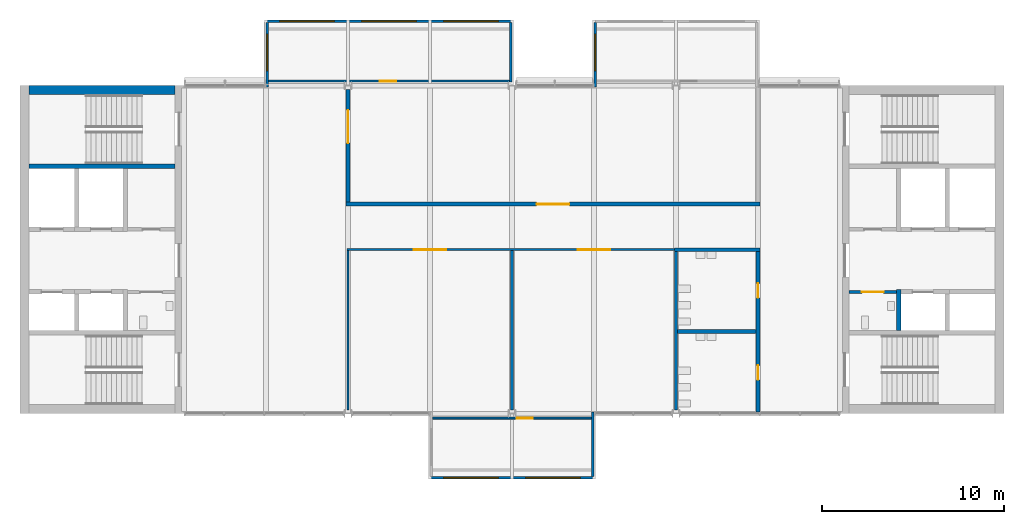
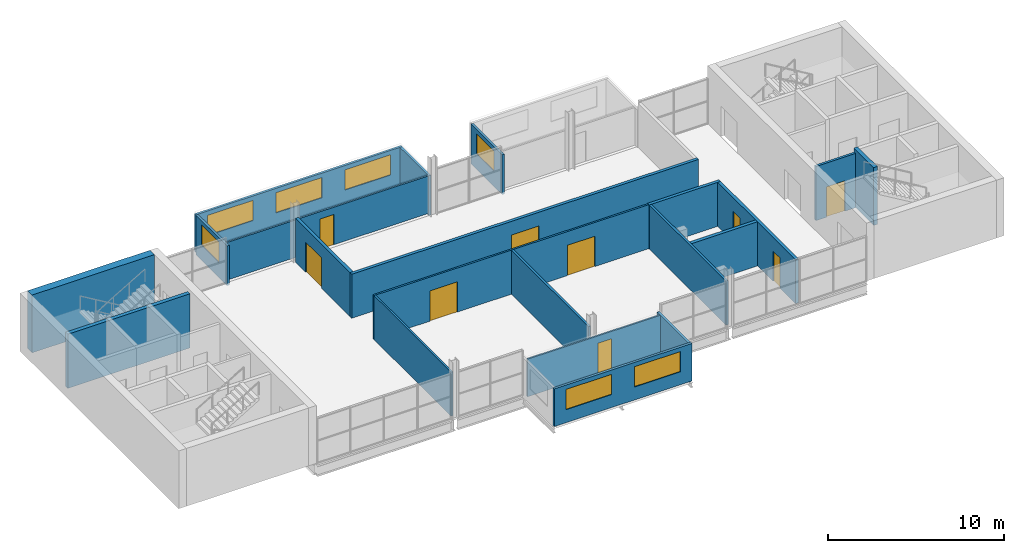
# One storey, part 6 of 10: 21 walls, 9 doors, 7 windows, 16 openings.
"""IFC4 building model written with IfcOpenShell, lengths in metres."""

from ifc_helpers import new_model, si_unit, direction, frame, frame_2d, origin, place, context, subcontext, project, spatial, rectangle, extrude, material, layer, layer_set, type_object, element, fill, save


model = new_model("IFC4")

# Units and contexts
model_context = context("Model", 3, precision=1e-05, world=origin(), true_north=direction((0.0, 1.0)))
body_context = subcontext(model_context, "Body", "Model", "MODEL_VIEW")
ifc_project = project(units=[si_unit("LENGTHUNIT", "METRE"), si_unit("AREAUNIT", "SQUARE_METRE"), si_unit("VOLUMEUNIT", "CUBIC_METRE"), si_unit("PLANEANGLEUNIT", "RADIAN"), si_unit("MASSUNIT", "GRAM", prefix="KILO")], contexts=[model_context])

# Site, building, storey
site_placement = place(None, origin())
site = spatial("IfcSite", under=ifc_project, at=site_placement, CompositionType="ELEMENT")
building_placement = place(site_placement, origin())
building = spatial("IfcBuilding", under=site, at=building_placement, Name="Corbel Yard City Hall", CompositionType="ELEMENT")
storey_placement = place(building_placement, frame((0.0, 0.0, 43.199951171875)))
storey = spatial("IfcBuildingStorey", under=building, at=storey_placement, Name="L10", CompositionType="ELEMENT", Elevation=43.199951171875)

# Walls
ifc_material_1 = material(Name="Concrete N40 (40 MPa)", Category="concrete")
ifc_layer_1 = layer(ifc_material_1, 0.25)
ifc_layer_set_1 = layer_set([ifc_layer_1], Name="Concrete N40 (40 MPa)")
wall_type_1 = type_object("IfcWallType", Name="IW2", PredefinedType="SOLIDWALL", material=ifc_layer_set_1)
wall_1_placement = place(storey_placement, frame((8.5, 112.574951171875, 0.0), z_axis=(0.0, 0.0, 1.0), x_axis=(-1.0, 0.0, 0.0)))
element("IfcWall", 1, at=wall_1_placement, inside=storey, type_object=wall_type_1, Name="Stair enclosure wall", PredefinedType="SOLIDWALL", context=body_context, shape_type="SweptSolid", body=[
    extrude(rectangle(XDim=8.0, YDim=0.25, at=frame_2d((4.0, 0.0))), origin(), (0.0, 0.0, 1.0), 3.75),
])
wall_2_placement = place(storey_placement, frame((48.22509765625, 103.550048828125, 0.0), z_axis=(0.0, 0.0, 1.0), x_axis=(0.0, 1.0, 0.0)))
element("IfcWall", 2, at=wall_2_placement, inside=storey, type_object=wall_type_1, Name="Lift LP25 shaft wall", PredefinedType="SOLIDWALL", context=body_context, shape_type="SweptSolid", body=[
    extrude(rectangle(XDim=2.25, YDim=0.25, at=frame_2d((1.125, 0.0))), origin(), (0.0, 0.0, 1.0), 4.0),
])

# Wall, openings, windows
ifc_material_2 = material(Name="Anodised aluminium", Category="aluminium")
ifc_layer_2 = layer(ifc_material_2, 0.02392578125)
ifc_material_3 = material(Name="Steel Grade G550 (550 MPa yield)", Category="steel")
ifc_layer_3 = layer(ifc_material_3, 0.10009765625)
ifc_material_4 = material(Name="Gypsum plasterboard", Category="gypsum")
ifc_layer_4 = layer(ifc_material_4, 0.02587890625)
ifc_layer_set_2 = layer_set([ifc_layer_2, ifc_layer_3, ifc_layer_4], Name="Steel Grade G550 (550 MPa yield)")
wall_type_2 = type_object("IfcWallType", Name="PD1", PredefinedType="SOLIDWALL", material=ifc_layer_set_2)
wall_3_placement = place(storey_placement, frame((22.5, 95.47509765625, 0.0), z_axis=(0.0, 0.0, 1.0), x_axis=(1.0, 0.0, 0.0)))
wall_3 = element("IfcWall", 3, at=wall_3_placement, inside=storey, type_object=wall_type_2, Name="Pod outer wall L10", PredefinedType="SOLIDWALL", context=body_context, shape_type="SweptSolid", body=[
    extrude(rectangle(XDim=9.0, YDim=0.14990234375, at=frame_2d((4.5, 0.0))), origin(), (0.0, 0.0, 1.0), 2.60009765625),
])
opening_1_placement = place(wall_3_placement, frame((0.75, 0.0, 0.89990234375)))
opening_1 = element("IfcOpeningElement", 4, at=opening_1_placement, cuts=wall_3, Name="Opening WN5", PredefinedType="OPENING", context=body_context, shape_type="SweptSolid", body=[
    extrude(rectangle(XDim=3.0, YDim=1.39990234375, at=frame_2d((1.5, 0.699951171875))), frame((0.0, 0.0849609375, 0.0), z_axis=(0.0, -1.0, 0.0), x_axis=(1.0, 0.0, 0.0)), (0.0, 0.0, 1.0), 0.169921875),
])
opening_2_placement = place(wall_3_placement, frame((5.25, 0.0, 0.89990234375)))
opening_2 = element("IfcOpeningElement", 5, at=opening_2_placement, cuts=wall_3, Name="Opening WN5", PredefinedType="OPENING", context=body_context, shape_type="SweptSolid", body=[
    extrude(rectangle(XDim=3.0, YDim=1.39990234375, at=frame_2d((1.5, 0.699951171875))), frame((0.0, 0.0849609375, 0.0), z_axis=(0.0, -1.0, 0.0), x_axis=(1.0, 0.0, 0.0)), (0.0, 0.0, 1.0), 0.169921875),
])
ifc_material_5 = material(Name="Aluminium frame, double glazed low-e glass", Category="aluminium")
window_type_1 = type_object("IfcWindowType", Name="WN5", PartitioningType="SINGLE_PANEL", PredefinedType="WINDOW", material=ifc_material_5)
window_1_placement = place(opening_1_placement, origin())
window_1 = element("IfcWindow", 6, at=window_1_placement, inside=storey, type_object=window_type_1, Name="Window WN5 L10", OverallHeight=1.39990234375, OverallWidth=3.0, PartitioningType="SINGLE_PANEL", PredefinedType="WINDOW", context=body_context, shape_type="SweptSolid", body=[
    extrude(rectangle(XDim=3.0, YDim=1.39990234375, at=frame_2d((1.5, 0.699951171875))), frame((0.0, 0.030029296875, 0.0), z_axis=(0.0, -1.0, 0.0), x_axis=(1.0, 0.0, 0.0)), (0.0, 0.0, 1.0), 0.06005859375),
])
fill(opening_1, window_1)
window_2_placement = place(opening_2_placement, origin())
window_2 = element("IfcWindow", 7, at=window_2_placement, inside=storey, type_object=window_type_1, Name="Window WN5 L10", OverallHeight=1.39990234375, OverallWidth=3.0, PartitioningType="SINGLE_PANEL", PredefinedType="WINDOW", context=body_context, shape_type="SweptSolid", body=[
    extrude(rectangle(XDim=3.0, YDim=1.39990234375, at=frame_2d((1.5, 0.699951171875))), frame((0.0, 0.030029296875, 0.0), z_axis=(0.0, -1.0, 0.0), x_axis=(1.0, 0.0, 0.0)), (0.0, 0.0, 1.0), 0.06005859375),
])
fill(opening_2, window_2)

wall_4_placement = place(storey_placement, frame((13.5, 120.52490234375, 0.0), z_axis=(0.0, 0.0, 1.0), x_axis=(1.0, 0.0, 0.0)))
wall_4 = element("IfcWall", 8, at=wall_4_placement, inside=storey, type_object=wall_type_2, Name="Pod outer wall L10", PredefinedType="SOLIDWALL", context=body_context, shape_type="SweptSolid", body=[
    extrude(rectangle(XDim=13.5, YDim=0.14990234375, at=frame_2d((6.75, 0.0))), origin(), (0.0, 0.0, 1.0), 2.60009765625),
])
opening_3_placement = place(wall_4_placement, frame((0.75, 0.0, 0.89990234375)))
opening_3 = element("IfcOpeningElement", 9, at=opening_3_placement, cuts=wall_4, Name="Opening WN5", PredefinedType="OPENING", context=body_context, shape_type="SweptSolid", body=[
    extrude(rectangle(XDim=3.0, YDim=1.39990234375, at=frame_2d((1.5, 0.699951171875))), frame((0.0, 0.0849609375, 0.0), z_axis=(0.0, -1.0, 0.0), x_axis=(1.0, 0.0, 0.0)), (0.0, 0.0, 1.0), 0.169921875),
])
opening_4_placement = place(wall_4_placement, frame((5.25, 0.0, 0.89990234375)))
opening_4 = element("IfcOpeningElement", 10, at=opening_4_placement, cuts=wall_4, Name="Opening WN5", PredefinedType="OPENING", context=body_context, shape_type="SweptSolid", body=[
    extrude(rectangle(XDim=3.0, YDim=1.39990234375, at=frame_2d((1.5, 0.699951171875))), frame((0.0, 0.0849609375, 0.0), z_axis=(0.0, -1.0, 0.0), x_axis=(1.0, 0.0, 0.0)), (0.0, 0.0, 1.0), 0.169921875),
])
opening_5_placement = place(wall_4_placement, frame((9.75, 0.0, 0.89990234375)))
opening_5 = element("IfcOpeningElement", 11, at=opening_5_placement, cuts=wall_4, Name="Opening WN5", PredefinedType="OPENING", context=body_context, shape_type="SweptSolid", body=[
    extrude(rectangle(XDim=3.0, YDim=1.39990234375, at=frame_2d((1.5, 0.699951171875))), frame((0.0, 0.0849609375, 0.0), z_axis=(0.0, -1.0, 0.0), x_axis=(1.0, 0.0, 0.0)), (0.0, 0.0, 1.0), 0.169921875),
])
window_3_placement = place(opening_3_placement, origin())
window_3 = element("IfcWindow", 12, at=window_3_placement, inside=storey, type_object=window_type_1, Name="Window WN5 L10", OverallHeight=1.39990234375, OverallWidth=3.0, PartitioningType="SINGLE_PANEL", PredefinedType="WINDOW", context=body_context, shape_type="SweptSolid", body=[
    extrude(rectangle(XDim=3.0, YDim=1.39990234375, at=frame_2d((1.5, 0.699951171875))), frame((0.0, 0.030029296875, 0.0), z_axis=(0.0, -1.0, 0.0), x_axis=(1.0, 0.0, 0.0)), (0.0, 0.0, 1.0), 0.06005859375),
])
fill(opening_3, window_3)
window_4_placement = place(opening_4_placement, origin())
window_4 = element("IfcWindow", 13, at=window_4_placement, inside=storey, type_object=window_type_1, Name="Window WN5 L10", OverallHeight=1.39990234375, OverallWidth=3.0, PartitioningType="SINGLE_PANEL", PredefinedType="WINDOW", context=body_context, shape_type="SweptSolid", body=[
    extrude(rectangle(XDim=3.0, YDim=1.39990234375, at=frame_2d((1.5, 0.699951171875))), frame((0.0, 0.030029296875, 0.0), z_axis=(0.0, -1.0, 0.0), x_axis=(1.0, 0.0, 0.0)), (0.0, 0.0, 1.0), 0.06005859375),
])
fill(opening_4, window_4)
window_5_placement = place(opening_5_placement, origin())
window_5 = element("IfcWindow", 14, at=window_5_placement, inside=storey, type_object=window_type_1, Name="Window WN5 L10", OverallHeight=1.39990234375, OverallWidth=3.0, PartitioningType="SINGLE_PANEL", PredefinedType="WINDOW", context=body_context, shape_type="SweptSolid", body=[
    extrude(rectangle(XDim=3.0, YDim=1.39990234375, at=frame_2d((1.5, 0.699951171875))), frame((0.0, 0.030029296875, 0.0), z_axis=(0.0, -1.0, 0.0), x_axis=(1.0, 0.0, 0.0)), (0.0, 0.0, 1.0), 0.06005859375),
])
fill(opening_5, window_5)

# Wall, opening, door
ifc_layer_5 = layer(ifc_material_4, 0.01806640625)
ifc_layer_6 = layer(ifc_material_3, 0.06396484375)
ifc_layer_7 = layer(ifc_material_4, 0.01806640625)
ifc_layer_set_3 = layer_set([ifc_layer_5, ifc_layer_6, ifc_layer_7], Name="Steel Grade G550 (550 MPa yield)")
wall_type_3 = type_object("IfcWallType", Name="PD2", PredefinedType="PARTITIONING", material=ifc_layer_set_3)
wall_5_placement = place(storey_placement, frame((22.64990234375, 98.75, 0.0), z_axis=(0.0, 0.0, 1.0), x_axis=(1.0, 0.0, 0.0)))
wall_5 = element("IfcWall", 15, at=wall_5_placement, inside=storey, type_object=wall_type_3, Name="Pod inner wall L10", PredefinedType="PARTITIONING", context=body_context, shape_type="SweptSolid", body=[
    extrude(rectangle(XDim=8.7001953125, YDim=0.10009765625, at=frame_2d((4.35009765625, 0.0))), origin(), (0.0, 0.0, 1.0), 2.60009765625),
])
opening_6_placement = place(wall_5_placement, frame((4.60009765625, 0.0, 0.0)))
opening_6 = element("IfcOpeningElement", 16, at=opening_6_placement, cuts=wall_5, Name="Opening T3-001", PredefinedType="OPENING", context=body_context, shape_type="SweptSolid", body=[
    extrude(rectangle(XDim=0.89990234375, YDim=2.10009765625, at=frame_2d((0.449951171875, 1.050048828125))), frame((0.0, 0.06005859375, 0.0), z_axis=(0.0, -1.0, 0.0), x_axis=(1.0, 0.0, 0.0)), (0.0, 0.0, 1.0), 0.1201171875),
])
ifc_material_6 = material(Name="Timber, solid core", Category="wood")
door_type_1 = type_object("IfcDoorType", Name="XD6", OperationType="SINGLE_SWING_LEFT", PredefinedType="DOOR", material=ifc_material_6)
door_1_placement = place(opening_6_placement, frame((0.89990234375, 0.0, 0.0), z_axis=(0.0, 0.0, 1.0), x_axis=(-1.0, 0.0, 0.0)))
door_1 = element("IfcDoor", 17, at=door_1_placement, inside=storey, type_object=door_type_1, Name="Pod door L10", OperationType="SINGLE_SWING_LEFT", OverallHeight=2.10009765625, OverallWidth=0.89990234375, PredefinedType="DOOR", context=body_context, shape_type="SweptSolid", body=[
    extrude(rectangle(XDim=0.89990234375, YDim=2.10009765625, at=frame_2d((0.449951171875, 1.050048828125))), frame((0.0, 0.02490234375, 0.0), z_axis=(0.0, -1.0, 0.0), x_axis=(1.0, 0.0, 0.0)), (0.0, 0.0, 1.0), 0.050048828125),
])
fill(opening_6, door_1)

wall_6_placement = place(storey_placement, frame((13.64990234375, 117.25, 0.0), z_axis=(0.0, 0.0, 1.0), x_axis=(1.0, 0.0, 0.0)))
wall_6 = element("IfcWall", 18, at=wall_6_placement, inside=storey, type_object=wall_type_3, Name="Pod inner wall L10", PredefinedType="PARTITIONING", context=body_context, shape_type="SweptSolid", body=[
    extrude(rectangle(XDim=13.2001953125, YDim=0.10009765625, at=frame_2d((6.60009765625, 0.0))), origin(), (0.0, 0.0, 1.0), 2.60009765625),
])
opening_7_placement = place(wall_6_placement, frame((6.10009765625, 0.0, 0.0)))
opening_7 = element("IfcOpeningElement", 19, at=opening_7_placement, cuts=wall_6, Name="Opening T3-002", PredefinedType="OPENING", context=body_context, shape_type="SweptSolid", body=[
    extrude(rectangle(XDim=0.89990234375, YDim=2.10009765625, at=frame_2d((0.449951171875, 1.050048828125))), frame((0.0, 0.06005859375, 0.0), z_axis=(0.0, -1.0, 0.0), x_axis=(1.0, 0.0, 0.0)), (0.0, 0.0, 1.0), 0.1201171875),
])
door_2_placement = place(opening_7_placement, origin())
door_2 = element("IfcDoor", 20, at=door_2_placement, inside=storey, type_object=door_type_1, Name="Pod door L10", OperationType="SINGLE_SWING_LEFT", OverallHeight=2.10009765625, OverallWidth=0.89990234375, PredefinedType="DOOR", context=body_context, shape_type="SweptSolid", body=[
    extrude(rectangle(XDim=0.89990234375, YDim=2.10009765625, at=frame_2d((0.449951171875, 1.050048828125))), frame((0.0, 0.02490234375, 0.0), z_axis=(0.0, -1.0, 0.0), x_axis=(1.0, 0.0, 0.0)), (0.0, 0.0, 1.0), 0.050048828125),
])
fill(opening_7, door_2)

# Wall
ifc_layer_8 = layer(ifc_material_2, 0.02392578125)
ifc_layer_9 = layer(ifc_material_3, 0.10009765625)
ifc_layer_10 = layer(ifc_material_4, 0.02587890625)
ifc_layer_set_4 = layer_set([ifc_layer_8, ifc_layer_9, ifc_layer_10], Name="Steel Grade G550 (550 MPa yield)")
wall_type_4 = type_object("IfcWallType", Name="PD3", PredefinedType="SOLIDWALL", material=ifc_layer_set_4)
wall_7_placement = place(storey_placement, frame((31.425048828125, 95.550048828125, -0.14990234375), z_axis=(0.0, 0.0, 1.0), x_axis=(0.0, 1.0, 0.0)))
element("IfcWall", 21, at=wall_7_placement, inside=storey, type_object=wall_type_4, Name="Pod side wall L10", PredefinedType="SOLIDWALL", context=body_context, shape_type="SweptSolid", body=[
    extrude(rectangle(XDim=3.52490234375, YDim=0.14990234375, at=frame_2d((1.762451171875, 0.0))), origin(), (0.0, 0.0, 1.0), 2.75),
])

# Wall, opening, window
wall_8_placement = place(storey_placement, frame((13.574951171875, 120.449951171875, -0.14990234375), z_axis=(0.0, 0.0, 1.0), x_axis=(0.0, -1.0, 0.0)))
wall_8 = element("IfcWall", 22, at=wall_8_placement, inside=storey, type_object=wall_type_4, Name="Pod side wall L10", PredefinedType="SOLIDWALL", context=body_context, shape_type="SweptSolid", body=[
    extrude(rectangle(XDim=3.5400390625, YDim=0.14990234375, at=frame_2d((1.77001953125, 0.0))), origin(), (0.0, 0.0, 1.0), 2.75),
])
opening_8_placement = place(wall_8_placement, frame((0.625, 0.0, 1.050048828125)))
opening_8 = element("IfcOpeningElement", 23, at=opening_8_placement, cuts=wall_8, Name="Opening WN6", PredefinedType="OPENING", context=body_context, shape_type="SweptSolid", body=[
    extrude(rectangle(XDim=2.0, YDim=1.39990234375, at=frame_2d((1.0, 0.699951171875))), frame((0.0, 0.0849609375, 0.0), z_axis=(0.0, -1.0, 0.0), x_axis=(1.0, 0.0, 0.0)), (0.0, 0.0, 1.0), 0.169921875),
])
window_type_2 = type_object("IfcWindowType", Name="WN6", PartitioningType="SINGLE_PANEL", PredefinedType="WINDOW", material=ifc_material_5)
window_6_placement = place(opening_8_placement, origin())
window_6 = element("IfcWindow", 24, at=window_6_placement, inside=storey, type_object=window_type_2, Name="Window WN6 L10", OverallHeight=1.39990234375, OverallWidth=2.0, PartitioningType="SINGLE_PANEL", PredefinedType="WINDOW", context=body_context, shape_type="SweptSolid", body=[
    extrude(rectangle(XDim=2.0, YDim=1.39990234375, at=frame_2d((1.0, 0.699951171875))), frame((0.0, 0.030029296875, 0.0), z_axis=(0.0, -1.0, 0.0), x_axis=(1.0, 0.0, 0.0)), (0.0, 0.0, 1.0), 0.06005859375),
])
fill(opening_8, window_6)

# Wall
wall_9_placement = place(storey_placement, frame((26.925048828125, 120.449951171875, -0.14990234375), z_axis=(0.0, 0.0, 1.0), x_axis=(0.0, -1.0, 0.0)))
element("IfcWall", 25, at=wall_9_placement, inside=storey, type_object=wall_type_4, Name="Pod side wall L10", PredefinedType="SOLIDWALL", context=body_context, shape_type="SweptSolid", body=[
    extrude(rectangle(XDim=3.25, YDim=0.14990234375, at=frame_2d((1.625, 0.0))), origin(), (0.0, 0.0, 1.0), 2.75),
])

# Wall, opening, window
wall_10_placement = place(storey_placement, frame((31.574951171875, 120.449951171875, -0.14990234375), z_axis=(0.0, 0.0, 1.0), x_axis=(0.0, -1.0, 0.0)))
wall_10 = element("IfcWall", 26, at=wall_10_placement, inside=storey, type_object=wall_type_4, Name="Pod side wall L10", PredefinedType="SOLIDWALL", context=body_context, shape_type="SweptSolid", body=[
    extrude(rectangle(XDim=3.5400390625, YDim=0.14990234375, at=frame_2d((1.77001953125, 0.0))), origin(), (0.0, 0.0, 1.0), 2.75),
])
opening_9_placement = place(wall_10_placement, frame((0.625, 0.0, 1.050048828125)))
opening_9 = element("IfcOpeningElement", 27, at=opening_9_placement, cuts=wall_10, Name="Opening WN6", PredefinedType="OPENING", context=body_context, shape_type="SweptSolid", body=[
    extrude(rectangle(XDim=2.0, YDim=1.39990234375, at=frame_2d((1.0, 0.699951171875))), frame((0.0, 0.0849609375, 0.0), z_axis=(0.0, -1.0, 0.0), x_axis=(1.0, 0.0, 0.0)), (0.0, 0.0, 1.0), 0.169921875),
])
window_7_placement = place(opening_9_placement, origin())
window_7 = element("IfcWindow", 28, at=window_7_placement, inside=storey, type_object=window_type_2, Name="Window WN6 L10", OverallHeight=1.39990234375, OverallWidth=2.0, PartitioningType="SINGLE_PANEL", PredefinedType="WINDOW", context=body_context, shape_type="SweptSolid", body=[
    extrude(rectangle(XDim=2.0, YDim=1.39990234375, at=frame_2d((1.0, 0.699951171875))), frame((0.0, 0.030029296875, 0.0), z_axis=(0.0, -1.0, 0.0), x_axis=(1.0, 0.0, 0.0)), (0.0, 0.0, 1.0), 0.06005859375),
])
fill(opening_9, window_7)

# Wall
ifc_layer_11 = layer(ifc_material_4, 0.031982421875)
ifc_layer_12 = layer(ifc_material_3, 0.135986328125)
ifc_layer_13 = layer(ifc_material_4, 0.031982421875)
ifc_layer_set_5 = layer_set([ifc_layer_11, ifc_layer_12, ifc_layer_13], Name="Steel Grade G550 (550 MPa yield)")
wall_type_5 = type_object("IfcWallType", Name="PT2", PredefinedType="PARTITIONING", material=ifc_layer_set_5)
wall_11_placement = place(storey_placement, frame((35.925048828125, 108.0, 0.0), z_axis=(0.0, 0.0, 1.0), x_axis=(1.0, 0.0, 0.0)))
element("IfcWall", 29, at=wall_11_placement, inside=storey, type_object=wall_type_5, Name="Acoustic wall", PredefinedType="PARTITIONING", context=body_context, shape_type="SweptSolid", body=[
    extrude(rectangle(XDim=4.675048828125, YDim=0.199951171875, at=frame_2d((2.33740234375, 0.0))), origin(), (0.0, 0.0, 1.0), 3.050048828125),
])

# Wall, opening, door
wall_12_placement = place(storey_placement, frame((17.89990234375, 110.5, 0.0), z_axis=(0.0, 0.0, 1.0), x_axis=(1.0, 0.0, 0.0)))
wall_12 = element("IfcWall", 30, at=wall_12_placement, inside=storey, type_object=wall_type_5, Name="Acoustic wall", PredefinedType="PARTITIONING", context=body_context, shape_type="SweptSolid", body=[
    extrude(rectangle(XDim=22.7001953125, YDim=0.199951171875, at=frame_2d((11.35009765625, 0.0))), origin(), (0.0, 0.0, 1.0), 3.050048828125),
])
opening_10_placement = place(wall_12_placement, frame((10.449951171875, 0.0, 0.0)))
opening_10 = element("IfcOpeningElement", 31, at=opening_10_placement, cuts=wall_12, Name="Opening T3-015", PredefinedType="OPENING", context=body_context, shape_type="SweptSolid", body=[
    extrude(rectangle(XDim=1.800048828125, YDim=2.10009765625, at=frame_2d((0.89990234375, 1.050048828125))), frame((0.0, 0.10986328125, 0.0), z_axis=(0.0, -1.0, 0.0), x_axis=(1.0, 0.0, 0.0)), (0.0, 0.0, 1.0), 0.219970703125),
])
ifc_material_7 = material(Name="Timber", Category="wood")
door_type_2 = type_object("IfcDoorType", Name="D3", OperationType="DOUBLE_DOOR_SINGLE_SWING", PredefinedType="DOOR", material=ifc_material_7)
door_3_placement = place(opening_10_placement, origin())
door_3 = element("IfcDoor", 32, at=door_3_placement, inside=storey, type_object=door_type_2, Name="Door Open Office 1010", OperationType="DOUBLE_DOOR_SINGLE_SWING", OverallHeight=2.10009765625, OverallWidth=1.800048828125, PredefinedType="DOOR", context=body_context, shape_type="SweptSolid", body=[
    extrude(rectangle(XDim=1.800048828125, YDim=2.10009765625, at=frame_2d((0.89990234375, 1.050048828125))), frame((0.0, 0.02490234375, 0.0), z_axis=(0.0, -1.0, 0.0), x_axis=(1.0, 0.0, 0.0)), (0.0, 0.0, 1.0), 0.050048828125),
])
fill(opening_10, door_3)

wall_13_placement = place(storey_placement, frame((18.0, 110.60009765625, 0.0), z_axis=(0.0, 0.0, 1.0), x_axis=(0.0, 1.0, 0.0)))
wall_13 = element("IfcWall", 33, at=wall_13_placement, inside=storey, type_object=wall_type_5, Name="Acoustic wall", PredefinedType="PARTITIONING", context=body_context, shape_type="SweptSolid", body=[
    extrude(rectangle(XDim=6.19287109375, YDim=0.199951171875, at=frame_2d((3.096435546875, 0.0))), origin(), (0.0, 0.0, 1.0), 3.050048828125),
])
opening_11_placement = place(wall_13_placement, frame((3.25, 0.0, 0.0)))
opening_11 = element("IfcOpeningElement", 34, at=opening_11_placement, cuts=wall_13, Name="Opening T3-016", PredefinedType="OPENING", context=body_context, shape_type="SweptSolid", body=[
    extrude(rectangle(XDim=1.800048828125, YDim=2.10009765625, at=frame_2d((0.89990234375, 1.050048828125))), frame((0.0, 0.10986328125, 0.0), z_axis=(0.0, -1.0, 0.0), x_axis=(1.0, 0.0, 0.0)), (0.0, 0.0, 1.0), 0.219970703125),
])
door_4_placement = place(opening_11_placement, origin())
door_4 = element("IfcDoor", 35, at=door_4_placement, inside=storey, type_object=door_type_2, Name="Door Open Office 1010", OperationType="DOUBLE_DOOR_SINGLE_SWING", OverallHeight=2.10009765625, OverallWidth=1.800048828125, PredefinedType="DOOR", context=body_context, shape_type="SweptSolid", body=[
    extrude(rectangle(XDim=1.800048828125, YDim=2.10009765625, at=frame_2d((0.89990234375, 1.050048828125))), frame((0.0, 0.02490234375, 0.0), z_axis=(0.0, -1.0, 0.0), x_axis=(1.0, 0.0, 0.0)), (0.0, 0.0, 1.0), 0.050048828125),
])
fill(opening_11, door_4)

# Wall, openings, doors
wall_14_placement = place(storey_placement, frame((40.5, 99.074951171875, 0.0), z_axis=(0.0, 0.0, 1.0), x_axis=(0.0, 1.0, 0.0)))
wall_14 = element("IfcWall", 36, at=wall_14_placement, inside=storey, type_object=wall_type_5, Name="Acoustic wall", PredefinedType="PARTITIONING", context=body_context, shape_type="SweptSolid", body=[
    extrude(rectangle(XDim=8.824951171875, YDim=0.199951171875, at=frame_2d((4.41259765625, 0.0))), origin(), (0.0, 0.0, 1.0), 3.050048828125),
])
opening_12_placement = place(wall_14_placement, frame((1.77490234375, 0.0, 0.0)))
opening_12 = element("IfcOpeningElement", 37, at=opening_12_placement, cuts=wall_14, Name="Opening T3-013", PredefinedType="OPENING", context=body_context, shape_type="SweptSolid", body=[
    extrude(rectangle(XDim=0.800048828125, YDim=2.10009765625, at=frame_2d((0.39990234375, 1.050048828125))), frame((0.0, 0.10986328125, 0.0), z_axis=(0.0, -1.0, 0.0), x_axis=(1.0, 0.0, 0.0)), (0.0, 0.0, 1.0), 0.219970703125),
])
opening_13_placement = place(wall_14_placement, frame((6.27490234375, 0.0, 0.0)))
opening_13 = element("IfcOpeningElement", 38, at=opening_13_placement, cuts=wall_14, Name="Opening T3-014", PredefinedType="OPENING", context=body_context, shape_type="SweptSolid", body=[
    extrude(rectangle(XDim=0.800048828125, YDim=2.10009765625, at=frame_2d((0.39990234375, 1.050048828125))), frame((0.0, 0.10986328125, 0.0), z_axis=(0.0, -1.0, 0.0), x_axis=(1.0, 0.0, 0.0)), (0.0, 0.0, 1.0), 0.219970703125),
])
door_type_3 = type_object("IfcDoorType", Name="D44", OperationType="SINGLE_SWING_LEFT", PredefinedType="DOOR", material=ifc_material_7)
door_5_placement = place(opening_12_placement, origin())
door_5 = element("IfcDoor", 39, at=door_5_placement, inside=storey, type_object=door_type_3, Name="Door Women's WC 1008", OperationType="SINGLE_SWING_RIGHT", OverallHeight=2.10009765625, OverallWidth=0.800048828125, PredefinedType="DOOR", context=body_context, shape_type="SweptSolid", body=[
    extrude(rectangle(XDim=0.800048828125, YDim=2.10009765625, at=frame_2d((0.39990234375, 1.050048828125))), frame((0.0, 0.02490234375, 0.0), z_axis=(0.0, -1.0, 0.0), x_axis=(1.0, 0.0, 0.0)), (0.0, 0.0, 1.0), 0.050048828125),
])
fill(opening_12, door_5)
door_6_placement = place(opening_13_placement, origin())
door_6 = element("IfcDoor", 40, at=door_6_placement, inside=storey, type_object=door_type_3, Name="Door Men's WC 1009", OperationType="SINGLE_SWING_LEFT", OverallHeight=2.10009765625, OverallWidth=0.800048828125, PredefinedType="DOOR", context=body_context, shape_type="SweptSolid", body=[
    extrude(rectangle(XDim=0.800048828125, YDim=2.10009765625, at=frame_2d((0.39990234375, 1.050048828125))), frame((0.0, 0.02490234375, 0.0), z_axis=(0.0, -1.0, 0.0), x_axis=(1.0, 0.0, 0.0)), (0.0, 0.0, 1.0), 0.050048828125),
])
fill(opening_13, door_6)

# Wall, opening, door
ifc_layer_14 = layer(ifc_material_4, 0.031982421875)
ifc_layer_15 = layer(ifc_material_3, 0.095947265625)
ifc_layer_16 = layer(ifc_material_4, 0.031982421875)
ifc_layer_set_6 = layer_set([ifc_layer_14, ifc_layer_15, ifc_layer_16], Name="Steel Grade G550 (550 MPa yield)")
wall_type_6 = type_object("IfcWallType", Name="PT3", PredefinedType="PARTITIONING", material=ifc_layer_set_6)
wall_15_placement = place(storey_placement, frame((45.5, 105.675048828125, 0.0), z_axis=(0.0, 0.0, 1.0), x_axis=(1.0, 0.0, 0.0)))
wall_15 = element("IfcWall", 41, at=wall_15_placement, inside=storey, type_object=wall_type_6, Name="Accessible WC wall", PredefinedType="PARTITIONING", context=body_context, shape_type="SweptSolid", body=[
    extrude(rectangle(XDim=2.60009765625, YDim=0.159912109375, at=frame_2d((1.300048828125, 0.0))), origin(), (0.0, 0.0, 1.0), 3.75),
])
opening_14_placement = place(wall_15_placement, frame((0.699951171875, 0.0, 0.0)))
opening_14 = element("IfcOpeningElement", 42, at=opening_14_placement, cuts=wall_15, Name="Opening T3-025", PredefinedType="OPENING", context=body_context, shape_type="SweptSolid", body=[
    extrude(rectangle(XDim=1.199951171875, YDim=2.10009765625, at=frame_2d((0.60009765625, 1.050048828125))), frame((0.0, 0.08984375, 0.0), z_axis=(0.0, -1.0, 0.0), x_axis=(1.0, 0.0, 0.0)), (0.0, 0.0, 1.0), 0.179931640625),
])
ifc_material_8 = material(Name="Steel Grade G250", Category="steel")
door_type_4 = type_object("IfcDoorType", Name="FD7", OperationType="SINGLE_SWING_LEFT", PredefinedType="DOOR", material=ifc_material_8)
door_7_placement = place(opening_14_placement, frame((1.199951171875, 0.0, 0.0), z_axis=(0.0, 0.0, 1.0), x_axis=(-1.0, 0.0, 0.0)))
door_7 = element("IfcDoor", 43, at=door_7_placement, inside=storey, type_object=door_type_4, Name="Door accessible WC East", OperationType="SINGLE_SWING_RIGHT", OverallHeight=2.10009765625, OverallWidth=1.199951171875, PredefinedType="DOOR", context=body_context, shape_type="SweptSolid", body=[
    extrude(rectangle(XDim=1.199951171875, YDim=2.10009765625, at=frame_2d((0.60009765625, 1.050048828125))), frame((0.0, 0.02490234375, 0.0), z_axis=(0.0, -1.0, 0.0), x_axis=(1.0, 0.0, 0.0)), (0.0, 0.0, 1.0), 0.050048828125),
])
fill(opening_14, door_7)

# Wall, openings, doors
ifc_material_9 = material(Name="Glass", Category="glass")
ifc_layer_17 = layer(ifc_material_9, 0.1201171875)
ifc_layer_set_7 = layer_set([ifc_layer_17], Name="Glass")
wall_type_7 = type_object("IfcWallType", Name="PT41", PredefinedType="PARTITIONING", material=ifc_layer_set_7)
wall_16_placement = place(storey_placement, frame((17.93994140625, 108.0, 0.0), z_axis=(0.0, 0.0, 1.0), x_axis=(1.0, 0.0, 0.0)))
wall_16 = element("IfcWall", 44, at=wall_16_placement, inside=storey, type_object=wall_type_7, Name="Glazed partition", PredefinedType="PARTITIONING", context=body_context, shape_type="SweptSolid", body=[
    extrude(rectangle(XDim=17.985107421875, YDim=0.1201171875, at=frame_2d((8.99267578125, 0.0))), origin(), (0.0, 0.0, 1.0), 3.050048828125),
])
opening_15_placement = place(wall_16_placement, frame((3.659912109375, 0.0, 0.0)))
opening_15 = element("IfcOpeningElement", 45, at=opening_15_placement, cuts=wall_16, Name="Opening T3-011", PredefinedType="OPENING", context=body_context, shape_type="SweptSolid", body=[
    extrude(rectangle(XDim=1.800048828125, YDim=2.10009765625, at=frame_2d((0.89990234375, 1.050048828125))), frame((0.0, 0.070068359375, 0.0), z_axis=(0.0, -1.0, 0.0), x_axis=(1.0, 0.0, 0.0)), (0.0, 0.0, 1.0), 0.14013671875),
])
opening_16_placement = place(wall_16_placement, frame((12.659912109375, 0.0, 0.0)))
opening_16 = element("IfcOpeningElement", 46, at=opening_16_placement, cuts=wall_16, Name="Opening T3-012", PredefinedType="OPENING", context=body_context, shape_type="SweptSolid", body=[
    extrude(rectangle(XDim=1.800048828125, YDim=2.10009765625, at=frame_2d((0.89990234375, 1.050048828125))), frame((0.0, 0.070068359375, 0.0), z_axis=(0.0, -1.0, 0.0), x_axis=(1.0, 0.0, 0.0)), (0.0, 0.0, 1.0), 0.14013671875),
])
door_8_placement = place(opening_15_placement, origin())
door_8 = element("IfcDoor", 47, at=door_8_placement, inside=storey, type_object=door_type_2, Name="Door Meeting Suite 1006", OperationType="DOUBLE_DOOR_SINGLE_SWING", OverallHeight=2.10009765625, OverallWidth=1.800048828125, PredefinedType="DOOR", context=body_context, shape_type="SweptSolid", body=[
    extrude(rectangle(XDim=1.800048828125, YDim=2.10009765625, at=frame_2d((0.89990234375, 1.050048828125))), frame((0.0, 0.02490234375, 0.0), z_axis=(0.0, -1.0, 0.0), x_axis=(1.0, 0.0, 0.0)), (0.0, 0.0, 1.0), 0.050048828125),
])
fill(opening_15, door_8)
door_9_placement = place(opening_16_placement, origin())
door_9 = element("IfcDoor", 48, at=door_9_placement, inside=storey, type_object=door_type_2, Name="Door Meeting Suite 1007", OperationType="DOUBLE_DOOR_SINGLE_SWING", OverallHeight=2.10009765625, OverallWidth=1.800048828125, PredefinedType="DOOR", context=body_context, shape_type="SweptSolid", body=[
    extrude(rectangle(XDim=1.800048828125, YDim=2.10009765625, at=frame_2d((0.89990234375, 1.050048828125))), frame((0.0, 0.02490234375, 0.0), z_axis=(0.0, -1.0, 0.0), x_axis=(1.0, 0.0, 0.0)), (0.0, 0.0, 1.0), 0.050048828125),
])
fill(opening_16, door_9)

# Walls
wall_17_placement = place(storey_placement, frame((18.0, 99.20703125, 0.0), z_axis=(0.0, 0.0, 1.0), x_axis=(0.0, 1.0, 0.0)))
element("IfcWall", 49, at=wall_17_placement, inside=storey, type_object=wall_type_7, Name="Glazed partition", PredefinedType="PARTITIONING", context=body_context, shape_type="SweptSolid", body=[
    extrude(rectangle(XDim=8.73291015625, YDim=0.1201171875, at=frame_2d((4.366455078125, 0.0))), origin(), (0.0, 0.0, 1.0), 3.050048828125),
])
ifc_layer_18 = layer(ifc_material_4, 0.031982421875)
ifc_layer_19 = layer(ifc_material_3, 0.156005859375)
ifc_layer_20 = layer(ifc_material_4, 0.031982421875)
ifc_layer_set_8 = layer_set([ifc_layer_18, ifc_layer_19, ifc_layer_20], Name="Steel Grade G550 (550 MPa yield)")
wall_type_8 = type_object("IfcWallType", Name="PT5", PredefinedType="PLUMBINGWALL", material=ifc_layer_set_8)
wall_18_placement = place(storey_placement, frame((36.074951171875, 103.5, 0.0), z_axis=(0.0, 0.0, 1.0), x_axis=(1.0, 0.0, 0.0)))
element("IfcWall", 50, at=wall_18_placement, inside=storey, type_object=wall_type_8, Name="Wet wall", PredefinedType="PLUMBINGWALL", context=body_context, shape_type="SweptSolid", body=[
    extrude(rectangle(XDim=4.324951171875, YDim=0.219970703125, at=frame_2d((2.16259765625, 0.0))), origin(), (0.0, 0.0, 1.0), 3.050048828125),
])
ifc_layer_21 = layer(ifc_material_4, 0.031982421875)
ifc_layer_22 = layer(ifc_material_3, 0.0859375)
ifc_layer_23 = layer(ifc_material_4, 0.031982421875)
ifc_layer_set_9 = layer_set([ifc_layer_21, ifc_layer_22, ifc_layer_23], Name="Steel Grade G550 (550 MPa yield)")
wall_type_9 = type_object("IfcWallType", Name="PT7", PredefinedType="PARTITIONING", material=ifc_layer_set_9)
wall_19_placement = place(storey_placement, frame((27.0, 99.20703125, 0.0), z_axis=(0.0, 0.0, 1.0), x_axis=(0.0, 1.0, 0.0)))
element("IfcWall", 51, at=wall_19_placement, inside=storey, type_object=wall_type_9, Name="Suite partition", PredefinedType="PARTITIONING", context=body_context, shape_type="SweptSolid", body=[
    extrude(rectangle(XDim=8.73291015625, YDim=0.14990234375, at=frame_2d((4.366455078125, 0.0))), origin(), (0.0, 0.0, 1.0), 3.050048828125),
])
wall_20_placement = place(storey_placement, frame((36.0, 99.20703125, 0.0), z_axis=(0.0, 0.0, 1.0), x_axis=(0.0, 1.0, 0.0)))
element("IfcWall", 52, at=wall_20_placement, inside=storey, type_object=wall_type_9, Name="Suite partition", PredefinedType="PARTITIONING", context=body_context, shape_type="SweptSolid", body=[
    extrude(rectangle(XDim=8.69287109375, YDim=0.14990234375, at=frame_2d((4.346435546875, 0.0))), origin(), (0.0, 0.0, 1.0), 3.050048828125),
])
ifc_material_10 = material(Name="Concrete N50 (50 MPa)", Category="concrete")
ifc_layer_24 = layer(ifc_material_10, 0.5)
ifc_layer_set_10 = layer_set([ifc_layer_24], Name="Concrete N50 (50 MPa)")
wall_type_10 = type_object("IfcWallType", Name="Trunk wall 500", PredefinedType="SHEAR", material=ifc_layer_set_10)
wall_21_placement = place(storey_placement, frame((0.5, 116.75, 0.0), z_axis=(0.0, 0.0, 1.0), x_axis=(1.0, 0.0, 0.0)))
element("IfcWall", 53, at=wall_21_placement, inside=storey, type_object=wall_type_10, Name="Trunk W north wall", PredefinedType="SHEAR", context=body_context, shape_type="SweptSolid", body=[
    extrude(rectangle(XDim=8.0, YDim=0.5, at=frame_2d((4.0, 0.0))), origin(), (0.0, 0.0, 1.0), 4.0),
])

save(model, "model.ifc")
